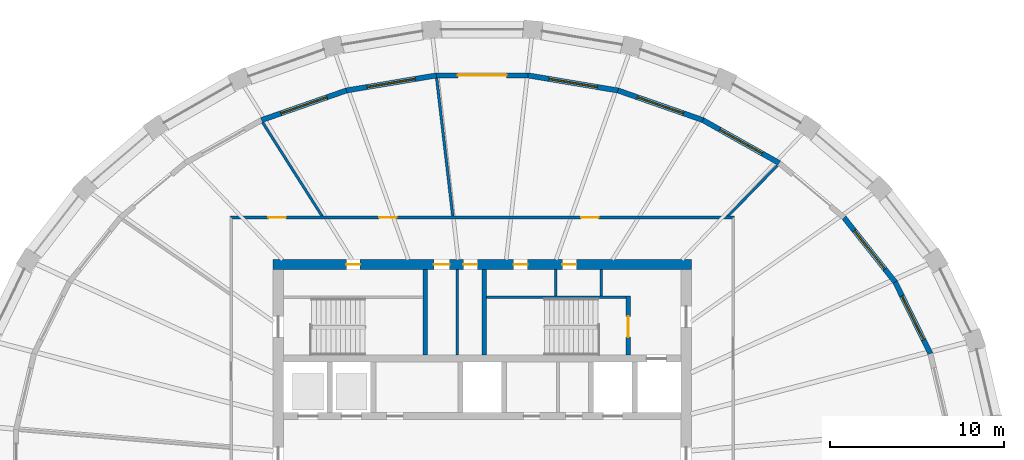
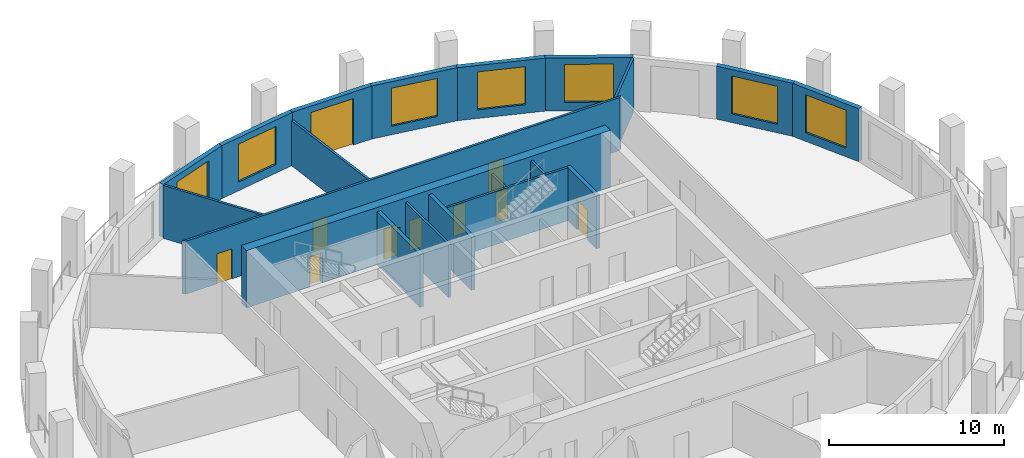
# One storey, part 6 of 10: 20 walls, 10 doors, 7 windows, 17 openings.
"""IFC4 building model written with IfcOpenShell, lengths in metres."""

from ifc_helpers import new_model, si_unit, direction, frame, frame_2d, origin, place, context, subcontext, project, spatial, polyline, rectangle, outline, extrude, material, layer, layer_set, type_object, element, fill, save


model = new_model("IFC4")

# Units and contexts
model_context = context("Model", 3, precision=1e-05, world=origin(), true_north=direction((0.0, 1.0)))
body_context = subcontext(model_context, "Body", "Model", "MODEL_VIEW")
ifc_project = project(units=[si_unit("LENGTHUNIT", "METRE"), si_unit("AREAUNIT", "SQUARE_METRE"), si_unit("VOLUMEUNIT", "CUBIC_METRE"), si_unit("PLANEANGLEUNIT", "RADIAN"), si_unit("MASSUNIT", "GRAM", prefix="KILO")], contexts=[model_context])

# Site, building, storey
site_placement = place(None, origin())
site = spatial("IfcSite", under=ifc_project, at=site_placement, CompositionType="ELEMENT")
building_placement = place(site_placement, origin())
building = spatial("IfcBuilding", under=site, at=building_placement, Name="Halqa Exchange Tower", CompositionType="ELEMENT")
storey_placement = place(building_placement, frame((0.0, 0.0, 280.300048828125)))
storey = spatial("IfcBuildingStorey", under=building, at=storey_placement, Name="L65", CompositionType="ELEMENT", Elevation=280.300048828125)

# Wall, openings, doors
ifc_material_1 = material(Name="Fire-rated gypsum board")
ifc_layer_1 = layer(ifc_material_1, 0.14990234375)
ifc_layer_set_1 = layer_set([ifc_layer_1], Name="Fire-rated gypsum board")
wall_type_1 = type_object("IfcWallType", Name="Fire partition EI 60 150", PredefinedType="PARTITIONING", material=ifc_layer_set_1)
wall_1_placement = place(storey_placement, frame((-14.47509765625, 14.39990234375, 0.0), z_axis=(0.0, 0.0, 1.0), x_axis=(1.0, 0.0, 0.0)))
wall_1 = element("IfcWall", 1, at=wall_1_placement, inside=storey, type_object=wall_type_1, Name="L65-PWL-006", PredefinedType="PARTITIONING", context=body_context, shape_type="SweptSolid", body=[
    extrude(outline(polyline([(0.150146484375, -0.074951171875), (2.06005859375, -0.074951171875), (3.97021484375, -0.074951171875), (5.880126953125, -0.074951171875), (7.7900390625, -0.074951171875), (9.7001953125, -0.074951171875), (11.610107421875, -0.074951171875), (13.52001953125, -0.074951171875), (15.43017578125, -0.074951171875), (17.340087890625, -0.074951171875), (19.25, -0.074951171875), (21.16015625, -0.074951171875), (23.070068359375, -0.074951171875), (24.97998046875, -0.074951171875), (26.89013671875, -0.074951171875), (28.800048828125, -0.074951171875), (28.949951171875, 0.074951171875), (27.02001953125, 0.074951171875), (25.090087890625, 0.074951171875), (23.159912109375, 0.074951171875), (21.22998046875, 0.074951171875), (19.300048828125, 0.074951171875), (17.3701171875, 0.074951171875), (15.440185546875, 0.074951171875), (13.510009765625, 0.074951171875), (11.580078125, 0.074951171875), (9.650146484375, 0.074951171875), (7.72021484375, 0.074951171875), (5.790283203125, 0.074951171875), (3.860107421875, 0.074951171875), (1.93017578125, 0.074951171875), (0.000244140625, 0.074951171875), (0.150146484375, -0.074951171875)])), origin(), (0.0, 0.0, 1.0), 3.699951171875),
])
opening_1_placement = place(wall_1_placement, frame((20.14990234375, 0.0, 0.0)))
opening_1 = element("IfcOpeningElement", 2, at=opening_1_placement, cuts=wall_1, Name="Opening 20-04", PredefinedType="OPENING", context=body_context, shape_type="SweptSolid", body=[
    extrude(rectangle(XDim=1.0, YDim=2.10009765625, at=frame_2d((0.5, 1.050048828125))), frame((0.0, 0.0869140625, 0.0), z_axis=(0.0, -1.0, 0.0), x_axis=(1.0, 0.0, 0.0)), (0.0, 0.0, 1.0), 0.173828125),
])
opening_2_placement = place(wall_1_placement, frame((8.56494140625, 0.0, 0.0)))
opening_2 = element("IfcOpeningElement", 3, at=opening_2_placement, cuts=wall_1, Name="Opening 20-05", PredefinedType="OPENING", context=body_context, shape_type="SweptSolid", body=[
    extrude(rectangle(XDim=1.0, YDim=2.10009765625, at=frame_2d((0.5, 1.050048828125))), frame((0.0, 0.0869140625, 0.0), z_axis=(0.0, -1.0, 0.0), x_axis=(1.0, 0.0, 0.0)), (0.0, 0.0, 1.0), 0.173828125),
])
opening_3_placement = place(wall_1_placement, frame((2.205078125, 0.0, 0.0)))
opening_3 = element("IfcOpeningElement", 4, at=opening_3_placement, cuts=wall_1, Name="Opening 20-06", PredefinedType="OPENING", context=body_context, shape_type="SweptSolid", body=[
    extrude(rectangle(XDim=1.0, YDim=2.10009765625, at=frame_2d((0.5, 1.050048828125))), frame((0.0, 0.0869140625, 0.0), z_axis=(0.0, -1.0, 0.0), x_axis=(1.0, 0.0, 0.0)), (0.0, 0.0, 1.0), 0.173828125),
])
ifc_material_2 = material(Name="Steel fire door leaf", Category="steel")
door_type_1 = type_object("IfcDoorType", Name="Fire door FD30S 1000 x 2100", OperationType="SINGLE_SWING_LEFT", PredefinedType="DOOR", material=ifc_material_2)
door_1_placement = place(opening_1_placement, origin())
door_1 = element("IfcDoor", 5, at=door_1_placement, inside=storey, type_object=door_type_1, Name="L65-IDR-004", OperationType="SINGLE_SWING_LEFT", OverallHeight=2.10009765625, OverallWidth=1.0, PredefinedType="DOOR", context=body_context, shape_type="SweptSolid", body=[
    extrude(rectangle(XDim=1.0, YDim=2.10009765625, at=frame_2d((0.5, 1.050048828125))), frame((0.0, 0.02490234375, 0.0), z_axis=(0.0, -1.0, 0.0), x_axis=(1.0, 0.0, 0.0)), (0.0, 0.0, 1.0), 0.050048828125),
])
fill(opening_1, door_1)
door_2_placement = place(opening_2_placement, origin())
door_2 = element("IfcDoor", 6, at=door_2_placement, inside=storey, type_object=door_type_1, Name="L65-IDR-005", OperationType="SINGLE_SWING_LEFT", OverallHeight=2.10009765625, OverallWidth=1.0, PredefinedType="DOOR", context=body_context, shape_type="SweptSolid", body=[
    extrude(rectangle(XDim=1.0, YDim=2.10009765625, at=frame_2d((0.5, 1.050048828125))), frame((0.0, 0.02490234375, 0.0), z_axis=(0.0, -1.0, 0.0), x_axis=(1.0, 0.0, 0.0)), (0.0, 0.0, 1.0), 0.050048828125),
])
fill(opening_2, door_2)
door_3_placement = place(opening_3_placement, origin())
door_3 = element("IfcDoor", 7, at=door_3_placement, inside=storey, type_object=door_type_1, Name="L65-IDR-006", OperationType="SINGLE_SWING_LEFT", OverallHeight=2.10009765625, OverallWidth=1.0, PredefinedType="DOOR", context=body_context, shape_type="SweptSolid", body=[
    extrude(rectangle(XDim=1.0, YDim=2.10009765625, at=frame_2d((0.5, 1.050048828125))), frame((0.0, 0.02490234375, 0.0), z_axis=(0.0, -1.0, 0.0), x_axis=(1.0, 0.0, 0.0)), (0.0, 0.0, 1.0), 0.050048828125),
])
fill(opening_3, door_3)

# Walls
wall_2_placement = place(storey_placement, frame((-9.162109375, 14.43505859375, 0.0), z_axis=(0.0, 0.0, 1.0), x_axis=(-0.536136809147, 0.844131104674, 0.0)))
element("IfcWall", 8, at=wall_2_placement, inside=storey, type_object=wall_type_1, Name="L65-PWL-007", PredefinedType="PARTITIONING", context=body_context, shape_type="SweptSolid", body=[
    extrude(outline(polyline([(0.0, -0.074951171875), (1.59912109375, -0.074951171875), (3.198486328125, -0.074951171875), (4.797607421875, -0.074951171875), (6.396728515625, -0.074951171875), (6.413818359375, -0.00244140625), (6.41748046875, 0.06640625), (6.41748046875, 0.074951171875), (4.8369140625, 0.074951171875), (3.256103515625, 0.074951171875), (1.675537109375, 0.074951171875), (0.094970703125, 0.074951171875), (0.0, -0.074462890625), (0.0, -0.074951171875)])), origin(), (0.0, 0.0, 1.0), 3.699951171875),
])
wall_3_placement = place(storey_placement, frame((-1.687744140625, 14.466552734375, 0.0), z_axis=(0.0, 0.0, 1.0), x_axis=(-0.116071250105, 0.993240889663, 0.0)))
element("IfcWall", 9, at=wall_3_placement, inside=storey, type_object=wall_type_1, Name="L65-PWL-009", PredefinedType="PARTITIONING", context=body_context, shape_type="SweptSolid", body=[
    extrude(outline(polyline([(0.0, -0.074951171875), (1.99462890625, -0.074951171875), (3.9892578125, -0.074951171875), (5.98388671875, -0.074951171875), (7.978515625, -0.074951171875), (7.984375, -0.025390625), (7.984375, 0.074951171875), (5.99267578125, 0.074951171875), (4.000732421875, 0.074951171875), (2.009033203125, 0.074951171875), (0.017333984375, 0.074951171875), (0.0, -0.07275390625), (0.0, -0.074951171875)])), origin(), (0.0, 0.0, 1.0), 3.14990234375),
])
wall_4_placement = place(storey_placement, frame((14.05224609375, 14.4228515625, 0.0), z_axis=(0.0, 0.0, 1.0), x_axis=(0.698170464683, 0.715931562542, 0.0)))
element("IfcWall", 10, at=wall_4_placement, inside=storey, type_object=wall_type_1, Name="L65-PWL-011", PredefinedType="PARTITIONING", context=body_context, shape_type="SweptSolid", body=[
    extrude(outline(polyline([(4.137451171875, -0.074951171875), (4.137451171875, 0.074951171875), (4.137451171875, 0.074951171875), (2.75830078125, 0.074951171875), (1.379150390625, 0.074951171875), (0.0, 0.074951171875), (0.0, 0.07470703125), (0.14599609375, -0.074951171875), (2.1416015625, -0.074951171875), (4.137451171875, -0.074951171875)])), origin(), (0.0, 0.0, 1.0), 3.699951171875),
])
ifc_material_3 = material(Name="Gypsum board")
ifc_layer_2 = layer(ifc_material_3, 0.14990234375)
ifc_layer_set_2 = layer_set([ifc_layer_2], Name="Gypsum board")
wall_type_2 = type_object("IfcWallType", Name="Penthouse riser wall 150 gypsum", PredefinedType="PARTITIONING", material=ifc_layer_set_2)
wall_5_placement = place(storey_placement, frame((-1.425048828125, 6.5, 0.0), z_axis=(0.0, 0.0, 1.0), x_axis=(0.0, 1.0, 0.0)))
element("IfcWall", 11, at=wall_5_placement, inside=storey, type_object=wall_type_2, Name="Partition W1.425 N", PredefinedType="PARTITIONING", context=body_context, shape_type="SweptSolid", body=[
    extrude(rectangle(XDim=4.89990234375, YDim=0.14990234375, at=frame_2d((2.449951171875, 0.0))), origin(), (0.0, 0.0, 1.0), 3.699951171875),
])
for number, where, z_axis, x_axis, name in (
    (12, (4.22509765625, 9.89990234375, 0.0), (0.0, 0.0, 1.0), (0.0, 1.0, 0.0), "Partition E4.225 N"),
    (13, (6.824951171875, 9.89990234375, 0.0), (0.0, 0.0, 1.0), (0.0, 1.0, 0.0), "Firefighting lobby west wall N"),
):
    element("IfcWall", number, at=place(storey_placement, frame(where, z_axis=z_axis, x_axis=x_axis)), inside=storey, type_object=wall_type_2, Name=name, PredefinedType="PARTITIONING", context=body_context, shape_type="SweptSolid", body=[
        extrude(rectangle(XDim=1.5, YDim=0.14990234375, at=frame_2d((0.75, 0.0))), origin(), (0.0, 0.0, 1.0), 3.699951171875),
    ])

# Wall, openings, doors
ifc_material_4 = material(Name="Concrete C60/75", Category="concrete")
ifc_layer_3 = layer(ifc_material_4, 0.60009765625)
ifc_layer_set_3 = layer_set([ifc_layer_3], Name="Concrete C60/75")
wall_type_3 = type_object("IfcWallType", Name="RC core wall 600 C60/75", PredefinedType="SHEAR", material=ifc_layer_set_3)
wall_6_placement = place(storey_placement, frame((-12.0, 11.699951171875, 0.0), z_axis=(0.0, 0.0, 1.0), x_axis=(1.0, 0.0, 0.0)))
wall_6 = element("IfcWall", 14, at=wall_6_placement, inside=storey, type_object=wall_type_3, Name="Core wall north", PredefinedType="SHEAR", context=body_context, shape_type="SweptSolid", body=[
    extrude(rectangle(XDim=24.0, YDim=0.60009765625, at=frame_2d((12.0, 0.0))), origin(), (0.0, 0.0, 1.0), 4.0),
])
opening_4_placement = place(wall_6_placement, frame((9.22509765625, 0.0, 0.0)))
opening_4 = element("IfcOpeningElement", 15, at=opening_4_placement, cuts=wall_6, Name="Opening T20-C17", PredefinedType="OPENING", context=body_context, shape_type="SweptSolid", body=[
    extrude(rectangle(XDim=0.89990234375, YDim=2.10009765625, at=frame_2d((0.449951171875, 1.050048828125))), frame((0.0, 0.31201171875, 0.0), z_axis=(0.0, -1.0, 0.0), x_axis=(1.0, 0.0, 0.0)), (0.0, 0.0, 1.0), 0.6240234375),
])
opening_5_placement = place(wall_6_placement, frame((10.925048828125, 0.0, 0.0)))
opening_5 = element("IfcOpeningElement", 16, at=opening_5_placement, cuts=wall_6, Name="Opening T20-C18", PredefinedType="OPENING", context=body_context, shape_type="SweptSolid", body=[
    extrude(rectangle(XDim=0.800048828125, YDim=2.10009765625, at=frame_2d((0.39990234375, 1.050048828125))), frame((0.0, 0.31201171875, 0.0), z_axis=(0.0, -1.0, 0.0), x_axis=(1.0, 0.0, 0.0)), (0.0, 0.0, 1.0), 0.6240234375),
])
opening_6_placement = place(wall_6_placement, frame((4.199951171875, 0.0, 0.0)))
opening_6 = element("IfcOpeningElement", 17, at=opening_6_placement, cuts=wall_6, Name="Opening T20-C19", PredefinedType="OPENING", context=body_context, shape_type="SweptSolid", body=[
    extrude(rectangle(XDim=0.800048828125, YDim=2.10009765625, at=frame_2d((0.39990234375, 1.050048828125))), frame((0.0, 0.31201171875, 0.0), z_axis=(0.0, -1.0, 0.0), x_axis=(1.0, 0.0, 0.0)), (0.0, 0.0, 1.0), 0.6240234375),
])
opening_7_placement = place(wall_6_placement, frame((13.800048828125, 0.0, 0.0)))
opening_7 = element("IfcOpeningElement", 18, at=opening_7_placement, cuts=wall_6, Name="Opening T20-C20", PredefinedType="OPENING", context=body_context, shape_type="SweptSolid", body=[
    extrude(rectangle(XDim=0.800048828125, YDim=2.10009765625, at=frame_2d((0.39990234375, 1.050048828125))), frame((0.0, 0.31201171875, 0.0), z_axis=(0.0, -1.0, 0.0), x_axis=(1.0, 0.0, 0.0)), (0.0, 0.0, 1.0), 0.6240234375),
])
opening_8_placement = place(wall_6_placement, frame((16.60009765625, 0.0, 0.0)))
opening_8 = element("IfcOpeningElement", 19, at=opening_8_placement, cuts=wall_6, Name="Opening T20-C21", PredefinedType="OPENING", context=body_context, shape_type="SweptSolid", body=[
    extrude(rectangle(XDim=0.800048828125, YDim=2.10009765625, at=frame_2d((0.39990234375, 1.050048828125))), frame((0.0, 0.31201171875, 0.0), z_axis=(0.0, -1.0, 0.0), x_axis=(1.0, 0.0, 0.0)), (0.0, 0.0, 1.0), 0.6240234375),
])
ifc_material_5 = material(Name="Timber fire door leaf", Category="wood")
door_type_2 = type_object("IfcDoorType", Name="Core room door FD30 900 x 2100", OperationType="SINGLE_SWING_LEFT", PredefinedType="DOOR", material=ifc_material_5)
door_4_placement = place(opening_4_placement, frame((0.89990234375, 0.0, 0.0), z_axis=(0.0, 0.0, 1.0), x_axis=(-1.0, 0.0, 0.0)))
door_4 = element("IfcDoor", 20, at=door_4_placement, inside=storey, type_object=door_type_2, Name="Core room door", OperationType="SINGLE_SWING_RIGHT", OverallHeight=2.10009765625, OverallWidth=0.89990234375, PredefinedType="DOOR", context=body_context, shape_type="SweptSolid", body=[
    extrude(rectangle(XDim=0.89990234375, YDim=2.10009765625, at=frame_2d((0.449951171875, 1.050048828125))), frame((0.0, 0.02490234375, 0.0), z_axis=(0.0, -1.0, 0.0), x_axis=(1.0, 0.0, 0.0)), (0.0, 0.0, 1.0), 0.050048828125),
])
fill(opening_4, door_4)
door_type_3 = type_object("IfcDoorType", Name="Riser door FD60 800 x 2100", OperationType="SINGLE_SWING_LEFT", PredefinedType="DOOR", material=ifc_material_2)
door_5_placement = place(opening_5_placement, frame((0.800048828125, 0.0, 0.0), z_axis=(0.0, 0.0, 1.0), x_axis=(-1.0, 0.0, 0.0)))
door_5 = element("IfcDoor", 21, at=door_5_placement, inside=storey, type_object=door_type_3, Name="Core room door", OperationType="SINGLE_SWING_LEFT", OverallHeight=2.10009765625, OverallWidth=0.800048828125, PredefinedType="DOOR", context=body_context, shape_type="SweptSolid", body=[
    extrude(rectangle(XDim=0.800048828125, YDim=2.10009765625, at=frame_2d((0.39990234375, 1.050048828125))), frame((0.0, 0.02490234375, 0.0), z_axis=(0.0, -1.0, 0.0), x_axis=(1.0, 0.0, 0.0)), (0.0, 0.0, 1.0), 0.050048828125),
])
fill(opening_5, door_5)
door_6_placement = place(opening_6_placement, frame((0.800048828125, 0.0, 0.0), z_axis=(0.0, 0.0, 1.0), x_axis=(-1.0, 0.0, 0.0)))
door_6 = element("IfcDoor", 22, at=door_6_placement, inside=storey, type_object=door_type_3, Name="Core room door", OperationType="SINGLE_SWING_LEFT", OverallHeight=2.10009765625, OverallWidth=0.800048828125, PredefinedType="DOOR", context=body_context, shape_type="SweptSolid", body=[
    extrude(rectangle(XDim=0.800048828125, YDim=2.10009765625, at=frame_2d((0.39990234375, 1.050048828125))), frame((0.0, 0.02490234375, 0.0), z_axis=(0.0, -1.0, 0.0), x_axis=(1.0, 0.0, 0.0)), (0.0, 0.0, 1.0), 0.050048828125),
])
fill(opening_6, door_6)
door_7_placement = place(opening_7_placement, frame((0.800048828125, 0.0, 0.0), z_axis=(0.0, 0.0, 1.0), x_axis=(-1.0, 0.0, 0.0)))
door_7 = element("IfcDoor", 23, at=door_7_placement, inside=storey, type_object=door_type_3, Name="Core room door", OperationType="SINGLE_SWING_RIGHT", OverallHeight=2.10009765625, OverallWidth=0.800048828125, PredefinedType="DOOR", context=body_context, shape_type="SweptSolid", body=[
    extrude(rectangle(XDim=0.800048828125, YDim=2.10009765625, at=frame_2d((0.39990234375, 1.050048828125))), frame((0.0, 0.02490234375, 0.0), z_axis=(0.0, -1.0, 0.0), x_axis=(1.0, 0.0, 0.0)), (0.0, 0.0, 1.0), 0.050048828125),
])
fill(opening_7, door_7)
door_8_placement = place(opening_8_placement, frame((0.800048828125, 0.0, 0.0), z_axis=(0.0, 0.0, 1.0), x_axis=(-1.0, 0.0, 0.0)))
door_8 = element("IfcDoor", 24, at=door_8_placement, inside=storey, type_object=door_type_3, Name="Core room door", OperationType="SINGLE_SWING_LEFT", OverallHeight=2.10009765625, OverallWidth=0.800048828125, PredefinedType="DOOR", context=body_context, shape_type="SweptSolid", body=[
    extrude(rectangle(XDim=0.800048828125, YDim=2.10009765625, at=frame_2d((0.39990234375, 1.050048828125))), frame((0.0, 0.02490234375, 0.0), z_axis=(0.0, -1.0, 0.0), x_axis=(1.0, 0.0, 0.0)), (0.0, 0.0, 1.0), 0.050048828125),
])
fill(opening_8, door_8)

# Walls
ifc_material_6 = material(Name="Concrete C30/37", Category="concrete")
ifc_layer_4 = layer(ifc_material_6, 0.14990234375)
ifc_layer_set_4 = layer_set([ifc_layer_4], Name="Concrete C30/37")
wall_type_4 = type_object("IfcWallType", Name="RC stair wall 150 C30/37", PredefinedType="SHEAR", material=ifc_layer_set_4)
wall_7_placement = place(storey_placement, frame((0.25, 9.824951171875, 0.0), z_axis=(0.0, 0.0, 1.0), x_axis=(1.0, 0.0, 0.0)))
element("IfcWall", 25, at=wall_7_placement, inside=storey, type_object=wall_type_4, Name="Stair ST2 north wall N", PredefinedType="SHEAR", context=body_context, shape_type="SweptSolid", body=[
    extrude(rectangle(XDim=8.0, YDim=0.14990234375, at=frame_2d((4.0, 0.0))), origin(), (0.0, 0.0, 1.0), 3.699951171875),
])
ifc_layer_5 = layer(ifc_material_6, 0.25)
ifc_layer_set_5 = layer_set([ifc_layer_5], Name="Concrete C30/37")
wall_type_5 = type_object("IfcWallType", Name="RC stair wall 250 C30/37", PredefinedType="SHEAR", material=ifc_layer_set_5)
for number, where, z_axis, x_axis, name in (
    (26, (-3.27490234375, 6.5, 0.0), (0.0, 0.0, 1.0), (0.0, 1.0, 0.0), "Stair ST1 east wall N"),
    (27, (0.125, 6.5, 0.0), (0.0, 0.0, 1.0), (0.0, 1.0, 0.0), "Stair ST2 west wall N"),
):
    element("IfcWall", number, at=place(storey_placement, frame(where, z_axis=z_axis, x_axis=x_axis)), inside=storey, type_object=wall_type_5, Name=name, PredefinedType="SHEAR", context=body_context, shape_type="SweptSolid", body=[
        extrude(rectangle(XDim=4.89990234375, YDim=0.25, at=frame_2d((2.449951171875, 0.0))), origin(), (0.0, 0.0, 1.0), 3.699951171875),
    ])

# Wall, opening, door
wall_8_placement = place(storey_placement, frame((8.375, 6.5, 0.0), z_axis=(0.0, 0.0, 1.0), x_axis=(0.0, 1.0, 0.0)))
wall_8 = element("IfcWall", 28, at=wall_8_placement, inside=storey, type_object=wall_type_5, Name="Stair ST2 east wall N", PredefinedType="SHEAR", context=body_context, shape_type="SweptSolid", body=[
    extrude(rectangle(XDim=3.39990234375, YDim=0.25, at=frame_2d((1.699951171875, 0.0))), origin(), (0.0, 0.0, 1.0), 3.699951171875),
])
opening_9_placement = place(wall_8_placement, frame((1.02490234375, 0.0, 0.0)))
opening_9 = element("IfcOpeningElement", 29, at=opening_9_placement, cuts=wall_8, Name="Opening T20-C12", PredefinedType="OPENING", context=body_context, shape_type="SweptSolid", body=[
    extrude(rectangle(XDim=1.199951171875, YDim=2.10009765625, at=frame_2d((0.60009765625, 1.050048828125))), frame((0.0, 0.136962890625, 0.0), z_axis=(0.0, -1.0, 0.0), x_axis=(1.0, 0.0, 0.0)), (0.0, 0.0, 1.0), 0.27392578125),
])
door_type_4 = type_object("IfcDoorType", Name="Stair door FD90 1200 x 2100", OperationType="SINGLE_SWING_LEFT", PredefinedType="DOOR", material=ifc_material_2)
door_9_placement = place(opening_9_placement, origin())
door_9 = element("IfcDoor", 30, at=door_9_placement, inside=storey, type_object=door_type_4, Name="Stair door ST2", OperationType="SINGLE_SWING_RIGHT", OverallHeight=2.10009765625, OverallWidth=1.199951171875, PredefinedType="DOOR", context=body_context, shape_type="SweptSolid", body=[
    extrude(rectangle(XDim=1.199951171875, YDim=2.10009765625, at=frame_2d((0.60009765625, 1.050048828125))), frame((0.0, 0.02490234375, 0.0), z_axis=(0.0, -1.0, 0.0), x_axis=(1.0, 0.0, 0.0)), (0.0, 0.0, 1.0), 0.050048828125),
])
fill(opening_9, door_9)

# Wall, opening, window
ifc_material_7 = material(Name="Limestone cladding", Category="masonry")
ifc_layer_6 = layer(ifc_material_7, 0.0400390625)
ifc_material_8 = material(Name="Ventilated cavity")
ifc_layer_7 = layer(ifc_material_8, 0.030029296875, ventilated=True)
ifc_material_9 = material(Name="Mineral wool insulation")
ifc_layer_8 = layer(ifc_material_9, 0.10009765625)
ifc_layer_9 = layer(ifc_material_6, 0.10009765625)
ifc_material_10 = material(Name="Internal plaster")
ifc_layer_10 = layer(ifc_material_10, 0.030029296875)
ifc_layer_set_6 = layer_set([ifc_layer_6, ifc_layer_7, ifc_layer_8, ifc_layer_9, ifc_layer_10], Name="Stone-faced insulated wall 300")
wall_type_6 = type_object("IfcWallType", Name="Stone-faced insulated wall 300", PredefinedType="STANDARD", material=ifc_layer_set_6)
wall_9_placement = place(storey_placement, frame((25.717529296875, 6.584716796875, 0.0), z_axis=(0.0, 0.0, 1.0), x_axis=(-0.441335149795, 0.897342345794, 0.0)))
wall_9 = element("IfcWall", 31, at=wall_9_placement, inside=storey, type_object=wall_type_6, Name="Glass-line wall 2", PredefinedType="STANDARD", context=body_context, shape_type="SweptSolid", body=[
    extrude(outline(polyline([(-0.016845703125, -0.14990234375), (4.592041015625, -0.14990234375), (4.559814453125, 0.14990234375), (0.016845703125, 0.14990234375), (-0.016845703125, -0.14990234375)])), origin(), (0.0, 0.0, 1.0), 3.699951171875),
])
opening_10_placement = place(wall_9_placement, frame((0.887939453125, 0.0, 0.60009765625)))
opening_10 = element("IfcOpeningElement", 32, at=opening_10_placement, cuts=wall_9, Name="Opening W-F4-02", PredefinedType="OPENING", context=body_context, shape_type="SweptSolid", body=[
    extrude(rectangle(XDim=2.800048828125, YDim=2.64990234375, at=frame_2d((1.39990234375, 1.324951171875))), frame((0.0, 0.162109375, 0.0), z_axis=(0.0, -1.0, 0.0), x_axis=(1.0, 0.0, 0.0)), (0.0, 0.0, 1.0), 0.323974609375),
])
ifc_material_11 = material(Name="Clear low-emissivity glass in aluminium frame", Category="aluminium")
window_type = type_object("IfcWindowType", Name="Fixed clear glazed window 2800 x 2650", PartitioningType="DOUBLE_PANEL_VERTICAL", PredefinedType="WINDOW", material=ifc_material_11)
window_1_placement = place(opening_10_placement, origin())
window_1 = element("IfcWindow", 33, at=window_1_placement, inside=storey, type_object=window_type, Name="Window 4", OverallHeight=2.64990234375, OverallWidth=2.800048828125, PartitioningType="DOUBLE_PANEL_VERTICAL", PredefinedType="WINDOW", context=body_context, shape_type="SweptSolid", body=[
    extrude(rectangle(XDim=2.800048828125, YDim=2.64990234375, at=frame_2d((1.39990234375, 1.324951171875))), frame((0.0, 0.030029296875, 0.0), z_axis=(0.0, -1.0, 0.0), x_axis=(1.0, 0.0, 0.0)), (0.0, 0.0, 1.0), 0.06005859375),
])
fill(opening_10, window_1)

wall_10_placement = place(storey_placement, frame((23.697998046875, 10.69091796875, 0.0), z_axis=(0.0, 0.0, 1.0), x_axis=(-0.621544881236, 0.783378555112, 0.0)))
wall_10 = element("IfcWall", 34, at=wall_10_placement, inside=storey, type_object=wall_type_6, Name="Glass-line wall 3", PredefinedType="STANDARD", context=body_context, shape_type="SweptSolid", body=[
    extrude(outline(polyline([(-0.01611328125, -0.14990234375), (4.7294921875, -0.14990234375), (4.69921875, 0.14990234375), (0.01611328125, 0.14990234375), (-0.01611328125, -0.14990234375)])), origin(), (0.0, 0.0, 1.0), 3.699951171875),
])
opening_11_placement = place(wall_10_placement, frame((0.957275390625, 0.0, 0.60009765625)))
opening_11 = element("IfcOpeningElement", 35, at=opening_11_placement, cuts=wall_10, Name="Opening W-F4-03", PredefinedType="OPENING", context=body_context, shape_type="SweptSolid", body=[
    extrude(rectangle(XDim=2.800048828125, YDim=2.64990234375, at=frame_2d((1.39990234375, 1.324951171875))), frame((0.0, 0.162109375, 0.0), z_axis=(0.0, -1.0, 0.0), x_axis=(1.0, 0.0, 0.0)), (0.0, 0.0, 1.0), 0.323974609375),
])
window_2_placement = place(opening_11_placement, origin())
window_2 = element("IfcWindow", 36, at=window_2_placement, inside=storey, type_object=window_type, Name="Window 4", OverallHeight=2.64990234375, OverallWidth=2.800048828125, PartitioningType="DOUBLE_PANEL_VERTICAL", PredefinedType="WINDOW", context=body_context, shape_type="SweptSolid", body=[
    extrude(rectangle(XDim=2.800048828125, YDim=2.64990234375, at=frame_2d((1.39990234375, 1.324951171875))), frame((0.0, 0.030029296875, 0.0), z_axis=(0.0, -1.0, 0.0), x_axis=(1.0, 0.0, 0.0)), (0.0, 0.0, 1.0), 0.06005859375),
])
fill(opening_11, window_2)

wall_11_placement = place(storey_placement, frame((17.040771484375, 17.52294921875, 0.0), z_axis=(0.0, 0.0, 1.0), x_axis=(-0.871488606878, 0.490415750239, 0.0)))
wall_11 = element("IfcWall", 37, at=wall_11_placement, inside=storey, type_object=wall_type_6, Name="Glass-line wall 5", PredefinedType="STANDARD", context=body_context, shape_type="SweptSolid", body=[
    extrude(outline(polyline([(-0.01416015625, -0.14990234375), (5.039306640625, -0.14990234375), (5.012939453125, 0.14990234375), (0.01416015625, 0.14990234375), (-0.01416015625, -0.14990234375)])), origin(), (0.0, 0.0, 1.0), 3.699951171875),
])
opening_12_placement = place(wall_11_placement, frame((1.113037109375, 0.0, 0.60009765625)))
opening_12 = element("IfcOpeningElement", 38, at=opening_12_placement, cuts=wall_11, Name="Opening W-F4-05", PredefinedType="OPENING", context=body_context, shape_type="SweptSolid", body=[
    extrude(rectangle(XDim=2.800048828125, YDim=2.64990234375, at=frame_2d((1.39990234375, 1.324951171875))), frame((0.0, 0.162109375, 0.0), z_axis=(0.0, -1.0, 0.0), x_axis=(1.0, 0.0, 0.0)), (0.0, 0.0, 1.0), 0.323974609375),
])
window_3_placement = place(opening_12_placement, origin())
window_3 = element("IfcWindow", 39, at=window_3_placement, inside=storey, type_object=window_type, Name="Window 4", OverallHeight=2.64990234375, OverallWidth=2.800048828125, PartitioningType="DOUBLE_PANEL_VERTICAL", PredefinedType="WINDOW", context=body_context, shape_type="SweptSolid", body=[
    extrude(rectangle(XDim=2.800048828125, YDim=2.64990234375, at=frame_2d((1.39990234375, 1.324951171875))), frame((0.0, 0.030029296875, 0.0), z_axis=(0.0, -1.0, 0.0), x_axis=(1.0, 0.0, 0.0)), (0.0, 0.0, 1.0), 0.06005859375),
])
fill(opening_12, window_3)

wall_12_placement = place(storey_placement, frame((12.66064453125, 19.98779296875, 0.0), z_axis=(0.0, 0.0, 1.0), x_axis=(-0.944204293701, 0.329360367617, 0.0)))
wall_12 = element("IfcWall", 40, at=wall_12_placement, inside=storey, type_object=wall_type_6, Name="Glass-line wall 6", PredefinedType="STANDARD", context=body_context, shape_type="SweptSolid", body=[
    extrude(outline(polyline([(-0.01318359375, -0.14990234375), (5.165283203125, -0.14990234375), (5.139892578125, 0.14990234375), (0.01318359375, 0.14990234375), (-0.01318359375, -0.14990234375)])), origin(), (0.0, 0.0, 1.0), 3.699951171875),
])
opening_13_placement = place(wall_12_placement, frame((1.17626953125, 0.0, 0.60009765625)))
opening_13 = element("IfcOpeningElement", 41, at=opening_13_placement, cuts=wall_12, Name="Opening W-F4-06", PredefinedType="OPENING", context=body_context, shape_type="SweptSolid", body=[
    extrude(rectangle(XDim=2.800048828125, YDim=2.64990234375, at=frame_2d((1.39990234375, 1.324951171875))), frame((0.0, 0.162109375, 0.0), z_axis=(0.0, -1.0, 0.0), x_axis=(1.0, 0.0, 0.0)), (0.0, 0.0, 1.0), 0.323974609375),
])
window_4_placement = place(opening_13_placement, origin())
window_4 = element("IfcWindow", 42, at=window_4_placement, inside=storey, type_object=window_type, Name="Window 4", OverallHeight=2.64990234375, OverallWidth=2.800048828125, PartitioningType="DOUBLE_PANEL_VERTICAL", PredefinedType="WINDOW", context=body_context, shape_type="SweptSolid", body=[
    extrude(rectangle(XDim=2.800048828125, YDim=2.64990234375, at=frame_2d((1.39990234375, 1.324951171875))), frame((0.0, 0.030029296875, 0.0), z_axis=(0.0, -1.0, 0.0), x_axis=(1.0, 0.0, 0.0)), (0.0, 0.0, 1.0), 0.06005859375),
])
fill(opening_13, window_4)

wall_13_placement = place(storey_placement, frame((7.795654296875, 21.684814453125, 0.0), z_axis=(0.0, 0.0, 1.0), x_axis=(-0.986257472007, 0.165215613396, 0.0)))
wall_13 = element("IfcWall", 43, at=wall_13_placement, inside=storey, type_object=wall_type_6, Name="Glass-line wall 7", PredefinedType="STANDARD", context=body_context, shape_type="SweptSolid", body=[
    extrude(outline(polyline([(-0.0126953125, -0.14990234375), (5.248046875, -0.14990234375), (5.22314453125, 0.14990234375), (0.0126953125, 0.14990234375), (-0.0126953125, -0.14990234375)])), origin(), (0.0, 0.0, 1.0), 3.699951171875),
])
opening_14_placement = place(wall_13_placement, frame((1.2177734375, 0.0, 0.60009765625)))
opening_14 = element("IfcOpeningElement", 44, at=opening_14_placement, cuts=wall_13, Name="Opening W-F4-07", PredefinedType="OPENING", context=body_context, shape_type="SweptSolid", body=[
    extrude(rectangle(XDim=2.800048828125, YDim=2.64990234375, at=frame_2d((1.39990234375, 1.324951171875))), frame((0.0, 0.162109375, 0.0), z_axis=(0.0, -1.0, 0.0), x_axis=(1.0, 0.0, 0.0)), (0.0, 0.0, 1.0), 0.323974609375),
])
window_5_placement = place(opening_14_placement, origin())
window_5 = element("IfcWindow", 45, at=window_5_placement, inside=storey, type_object=window_type, Name="Window 4", OverallHeight=2.64990234375, OverallWidth=2.800048828125, PartitioningType="DOUBLE_PANEL_VERTICAL", PredefinedType="WINDOW", context=body_context, shape_type="SweptSolid", body=[
    extrude(rectangle(XDim=2.800048828125, YDim=2.64990234375, at=frame_2d((1.39990234375, 1.324951171875))), frame((0.0, 0.030029296875, 0.0), z_axis=(0.0, -1.0, 0.0), x_axis=(1.0, 0.0, 0.0)), (0.0, 0.0, 1.0), 0.06005859375),
])
fill(opening_14, window_5)

# Wall, opening, door
wall_14_placement = place(storey_placement, frame((2.632080078125, 22.5498046875, 0.0), z_axis=(0.0, 0.0, 1.0), x_axis=(-1.0, 0.0, 0.0)))
wall_14 = element("IfcWall", 46, at=wall_14_placement, inside=storey, type_object=wall_type_6, Name="Glass-line wall 8", PredefinedType="STANDARD", context=body_context, shape_type="SweptSolid", body=[
    extrude(outline(polyline([(-0.012451171875, -0.14990234375), (5.276611328125, -0.14990234375), (5.251708984375, 0.14990234375), (0.012451171875, 0.14990234375), (-0.012451171875, -0.14990234375)])), origin(), (0.0, 0.0, 1.0), 3.699951171875),
])
opening_15_placement = place(wall_14_placement, frame((1.232177734375, 0.0, 0.0)))
opening_15 = element("IfcOpeningElement", 47, at=opening_15_placement, cuts=wall_14, Name="Opening LG-F4-02", PredefinedType="OPENING", context=body_context, shape_type="SweptSolid", body=[
    extrude(rectangle(XDim=2.800048828125, YDim=3.25, at=frame_2d((1.39990234375, 1.625))), frame((0.0, 0.162109375, 0.0), z_axis=(0.0, -1.0, 0.0), x_axis=(1.0, 0.0, 0.0)), (0.0, 0.0, 1.0), 0.323974609375),
])
door_type_5 = type_object("IfcDoorType", Name="Glazed sliding loggia door 2800 x 3250", OperationType="DOUBLE_DOOR_SLIDING", PredefinedType="DOOR", material=ifc_material_11)
door_10_placement = place(opening_15_placement, origin())
door_10 = element("IfcDoor", 48, at=door_10_placement, inside=storey, type_object=door_type_5, Name="Loggia door 2", OperationType="DOUBLE_DOOR_SLIDING", OverallHeight=3.25, OverallWidth=2.800048828125, PredefinedType="DOOR", context=body_context, shape_type="SweptSolid", body=[
    extrude(rectangle(XDim=2.800048828125, YDim=3.25, at=frame_2d((1.39990234375, 1.625))), frame((0.0, 0.02490234375, 0.0), z_axis=(0.0, -1.0, 0.0), x_axis=(1.0, 0.0, 0.0)), (0.0, 0.0, 1.0), 0.050048828125),
])
fill(opening_15, door_10)

# Wall, opening, window
wall_15_placement = place(storey_placement, frame((-2.632080078125, 22.5498046875, 0.0), z_axis=(0.0, 0.0, 1.0), x_axis=(-0.986257472007, -0.165215613396, 0.0)))
wall_15 = element("IfcWall", 49, at=wall_15_placement, inside=storey, type_object=wall_type_6, Name="Glass-line wall 9", PredefinedType="STANDARD", context=body_context, shape_type="SweptSolid", body=[
    extrude(outline(polyline([(-0.012451171875, -0.14990234375), (5.248291015625, -0.14990234375), (5.222900390625, 0.14990234375), (0.012451171875, 0.14990234375), (-0.012451171875, -0.14990234375)])), origin(), (0.0, 0.0, 1.0), 3.699951171875),
])
opening_16_placement = place(wall_15_placement, frame((1.2177734375, 0.0, 0.60009765625)))
opening_16 = element("IfcOpeningElement", 50, at=opening_16_placement, cuts=wall_15, Name="Opening W-F4-09", PredefinedType="OPENING", context=body_context, shape_type="SweptSolid", body=[
    extrude(rectangle(XDim=2.800048828125, YDim=2.64990234375, at=frame_2d((1.39990234375, 1.324951171875))), frame((0.0, 0.162109375, 0.0), z_axis=(0.0, -1.0, 0.0), x_axis=(1.0, 0.0, 0.0)), (0.0, 0.0, 1.0), 0.323974609375),
])
window_6_placement = place(opening_16_placement, origin())
window_6 = element("IfcWindow", 51, at=window_6_placement, inside=storey, type_object=window_type, Name="Window 4", OverallHeight=2.64990234375, OverallWidth=2.800048828125, PartitioningType="DOUBLE_PANEL_VERTICAL", PredefinedType="WINDOW", context=body_context, shape_type="SweptSolid", body=[
    extrude(rectangle(XDim=2.800048828125, YDim=2.64990234375, at=frame_2d((1.39990234375, 1.324951171875))), frame((0.0, 0.030029296875, 0.0), z_axis=(0.0, -1.0, 0.0), x_axis=(1.0, 0.0, 0.0)), (0.0, 0.0, 1.0), 0.06005859375),
])
fill(opening_16, window_6)

wall_16_placement = place(storey_placement, frame((-7.795654296875, 21.684814453125, 0.0), z_axis=(0.0, 0.0, 1.0), x_axis=(-0.944204293701, -0.329360367617, 0.0)))
wall_16 = element("IfcWall", 52, at=wall_16_placement, inside=storey, type_object=wall_type_6, Name="Glass-line wall 10", PredefinedType="STANDARD", context=body_context, shape_type="SweptSolid", body=[
    extrude(outline(polyline([(-0.0126953125, -0.14990234375), (5.165771484375, -0.14990234375), (5.139404296875, 0.14990234375), (0.0126953125, 0.14990234375), (-0.0126953125, -0.14990234375)])), origin(), (0.0, 0.0, 1.0), 3.699951171875),
])
opening_17_placement = place(wall_16_placement, frame((1.17626953125, 0.0, 0.60009765625)))
opening_17 = element("IfcOpeningElement", 53, at=opening_17_placement, cuts=wall_16, Name="Opening W-F4-10", PredefinedType="OPENING", context=body_context, shape_type="SweptSolid", body=[
    extrude(rectangle(XDim=2.800048828125, YDim=2.64990234375, at=frame_2d((1.39990234375, 1.324951171875))), frame((0.0, 0.162109375, 0.0), z_axis=(0.0, -1.0, 0.0), x_axis=(1.0, 0.0, 0.0)), (0.0, 0.0, 1.0), 0.323974609375),
])
window_7_placement = place(opening_17_placement, origin())
window_7 = element("IfcWindow", 54, at=window_7_placement, inside=storey, type_object=window_type, Name="Window 4", OverallHeight=2.64990234375, OverallWidth=2.800048828125, PartitioningType="DOUBLE_PANEL_VERTICAL", PredefinedType="WINDOW", context=body_context, shape_type="SweptSolid", body=[
    extrude(rectangle(XDim=2.800048828125, YDim=2.64990234375, at=frame_2d((1.39990234375, 1.324951171875))), frame((0.0, 0.030029296875, 0.0), z_axis=(0.0, -1.0, 0.0), x_axis=(1.0, 0.0, 0.0)), (0.0, 0.0, 1.0), 0.06005859375),
])
fill(opening_17, window_7)

save(model, "model.ifc")
